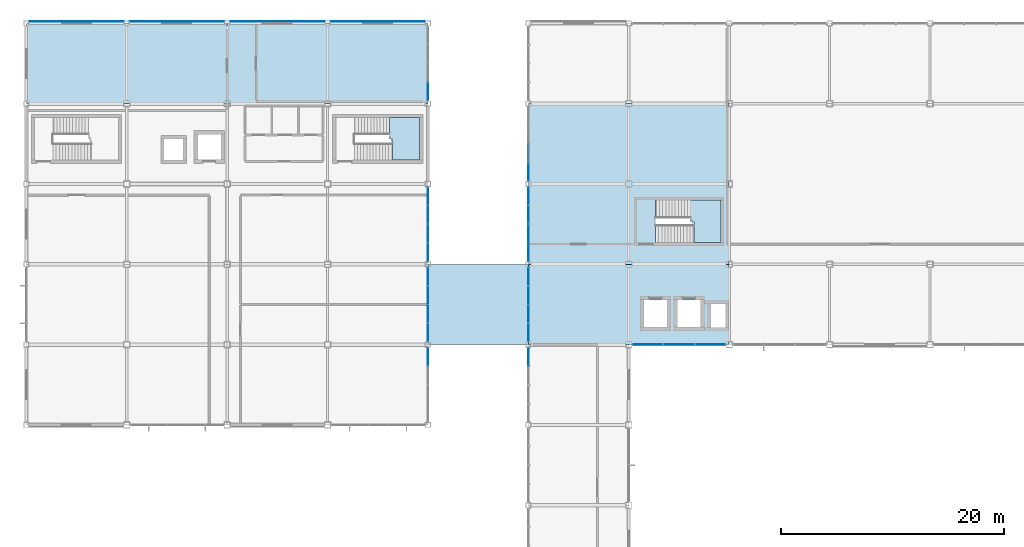
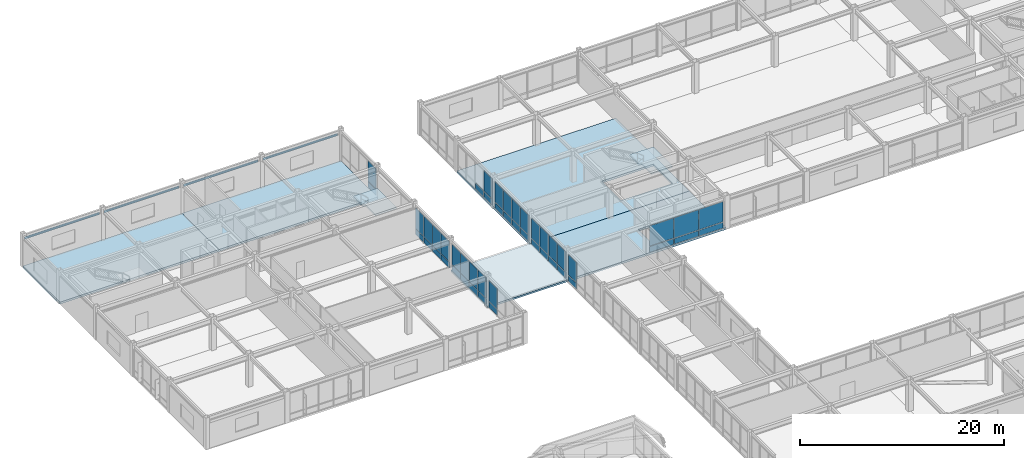
# One storey, part 88 of 113: 51 plates, 7 slabs, 11 elements without a shape of their own.
"""IFC4 building model written with IfcOpenShell, lengths in metres."""

from ifc_helpers import new_model, si_unit, direction, frame, origin, origin_2d, place, context, subcontext, project, spatial, polyline, rectangle, outline, extrude, material, layer, layer_set, type_object, element, aggregate, save


model = new_model("IFC4")

# Units and contexts
model_context = context("Model", 3, precision=1e-05, world=origin(), true_north=direction((0.0, 1.0)))
body_context = subcontext(model_context, "Body", "Model", "MODEL_VIEW")
ifc_project = project(units=[si_unit("LENGTHUNIT", "METRE"), si_unit("AREAUNIT", "SQUARE_METRE"), si_unit("VOLUMEUNIT", "CUBIC_METRE"), si_unit("PLANEANGLEUNIT", "RADIAN"), si_unit("MASSUNIT", "GRAM", prefix="KILO")], contexts=[model_context])

# Site, building, storey
site_placement = place(None, origin())
site = spatial("IfcSite", under=ifc_project, at=site_placement, CompositionType="ELEMENT")
building_placement = place(site_placement, origin())
building = spatial("IfcBuilding", under=site, at=building_placement, Name="Kazanami Central Library", CompositionType="ELEMENT")
storey_placement = place(building_placement, frame((0.0, 0.0, 8.800048828125)))
storey = spatial("IfcBuildingStorey", under=building, at=storey_placement, Name="L03", CompositionType="ELEMENT", Elevation=8.800048828125)

# Curtain wall, plates
ifc_material_1 = material(Name="Acid-Etched Low-E Laminated Glass", Category="glass")
curtain_wall_type_1 = type_object("IfcCurtainWallType", Name="CW-8450x3295-M275", PredefinedType="USERDEFINED", material=ifc_material_1)
curtain_wall_1_placement = place(storey_placement, origin())
curtain_wall_1 = element("IfcCurtainWall", 1, at=curtain_wall_1_placement, inside=storey, type_object=curtain_wall_type_1, Name="Unitised Curtain Wall CW-29 L03 S-K-06", ObjectType="UNITISED CURTAIN WALL", PredefinedType="USERDEFINED")
ifc_layer_1 = layer(ifc_material_1, 0.035888671875, Name="Acid-Etched Low-E Laminated Glass")
ifc_layer_set_1 = layer_set([ifc_layer_1], Name="Acid-Etched Low-E Laminated Glass")
plate_type_1 = type_object("IfcPlateType", Name="PLT-CW-P1", PredefinedType="CURTAIN_PANEL", material=ifc_layer_set_1)
plate_1_placement = place(storey_placement, frame((55.700927734375, 64.800048828125, 0.81494140625), z_axis=(0.0, 0.0, 1.0), x_axis=(1.0, 0.0, 0.0)))
plate_1 = element("IfcPlate", 2, at=plate_1_placement, type_object=plate_type_1, Name="CW-29 panel 1.2", PredefinedType="CURTAIN_PANEL", context=body_context, shape_type="SweptSolid", body=[
    extrude(rectangle(XDim=2.711669921875, YDim=0.035888671875, at=origin_2d()), origin(), (0.0, 0.0, 1.0), 2.409912109375),
])
plate_2_placement = place(storey_placement, frame((58.5, 64.800048828125, 0.81494140625), z_axis=(0.0, 0.0, 1.0), x_axis=(1.0, 0.0, 0.0)))
plate_2 = element("IfcPlate", 3, at=plate_2_placement, type_object=plate_type_1, Name="CW-29 panel 2.2", PredefinedType="CURTAIN_PANEL", context=body_context, shape_type="SweptSolid", body=[
    extrude(rectangle(XDim=2.74658203125, YDim=0.035888671875, at=origin_2d()), origin(), (0.0, 0.0, 1.0), 2.409912109375),
])
plate_3_placement = place(storey_placement, frame((61.299072265625, 64.800048828125, 0.81494140625), z_axis=(0.0, 0.0, 1.0), x_axis=(1.0, 0.0, 0.0)))
plate_3 = element("IfcPlate", 4, at=plate_3_placement, type_object=plate_type_1, Name="CW-29 panel 3.2", PredefinedType="CURTAIN_PANEL", context=body_context, shape_type="SweptSolid", body=[
    extrude(rectangle(XDim=2.711669921875, YDim=0.035888671875, at=origin_2d()), origin(), (0.0, 0.0, 1.0), 2.409912109375),
])

# Curtain wall, plate
curtain_wall_type_2 = type_object("IfcCurtainWallType", Name="CW-6750x3330-M180", PredefinedType="USERDEFINED", material=ifc_material_1)
curtain_wall_2_placement = place(storey_placement, origin())
curtain_wall_2 = element("IfcCurtainWall", 5, at=curtain_wall_2_placement, inside=storey, type_object=curtain_wall_type_2, Name="Covered Link Bridge Curtain Wall CW-34 L03 E-5-08", ObjectType="UNITISED CURTAIN WALL", PredefinedType="USERDEFINED")
ifc_material_2 = material(Name="Low-E Insulated Triple Glass", Category="glass")
ifc_layer_2 = layer(ifc_material_2, 0.0400390625, Name="Low-E Insulated Triple Glass")
ifc_layer_set_2 = layer_set([ifc_layer_2], Name="Low-E Insulated Triple Glass")
plate_type_2 = type_object("IfcPlateType", Name="PLT-CW-P3", PredefinedType="CURTAIN_PANEL", material=ifc_layer_set_2)
plate_4_placement = place(storey_placement, frame((36.0, 63.71630859375, 0.81005859375), z_axis=(0.0, 0.0, 1.0), x_axis=(0.0, -1.0, 0.0)))
plate_4 = element("IfcPlate", 6, at=plate_4_placement, type_object=plate_type_2, Name="CW-34 panel 1.2", PredefinedType="CURTAIN_PANEL", context=body_context, shape_type="SweptSolid", body=[
    extrude(rectangle(XDim=1.597412109375, YDim=0.0400390625, at=origin_2d()), origin(), (0.0, 0.0, 1.0), 2.4599609375),
])

# Curtain wall, plates
curtain_wall_type_3 = type_object("IfcCurtainWallType", Name="CW-6750x3295-M180", PredefinedType="USERDEFINED", material=ifc_material_1)
curtain_wall_3_placement = place(storey_placement, origin())
curtain_wall_3 = element("IfcCurtainWall", 7, at=curtain_wall_3_placement, inside=storey, type_object=curtain_wall_type_3, Name="Covered Link Bridge Curtain Wall CW-32 L03 E-5-09", ObjectType="UNITISED CURTAIN WALL", PredefinedType="USERDEFINED")
plate_5_placement = place(storey_placement, frame((36.0, 70.916259765625, 0.81005859375), z_axis=(0.0, 0.0, 1.0), x_axis=(0.0, -1.0, 0.0)))
plate_5 = element("IfcPlate", 8, at=plate_5_placement, type_object=plate_type_2, Name="CW-32 panel 1.2", PredefinedType="CURTAIN_PANEL", context=body_context, shape_type="SweptSolid", body=[
    extrude(rectangle(XDim=1.597412109375, YDim=0.0400390625, at=origin_2d()), origin(), (0.0, 0.0, 1.0), 2.425048828125),
])
plate_6_placement = place(storey_placement, frame((36.0, 69.24365234375, 0.81005859375), z_axis=(0.0, 0.0, 1.0), x_axis=(0.0, -1.0, 0.0)))
plate_6 = element("IfcPlate", 9, at=plate_6_placement, type_object=plate_type_2, Name="CW-32 panel 2.2", PredefinedType="CURTAIN_PANEL", context=body_context, shape_type="SweptSolid", body=[
    extrude(rectangle(XDim=1.62744140625, YDim=0.0400390625, at=origin_2d()), origin(), (0.0, 0.0, 1.0), 2.425048828125),
])
plate_7_placement = place(storey_placement, frame((36.0, 67.55615234375, 0.81005859375), z_axis=(0.0, 0.0, 1.0), x_axis=(0.0, -1.0, 0.0)))
plate_7 = element("IfcPlate", 10, at=plate_7_placement, type_object=plate_type_2, Name="CW-32 panel 3.2", PredefinedType="CURTAIN_PANEL", context=body_context, shape_type="SweptSolid", body=[
    extrude(rectangle(XDim=1.62744140625, YDim=0.0400390625, at=origin_2d()), origin(), (0.0, 0.0, 1.0), 2.425048828125),
])
plate_8_placement = place(storey_placement, frame((36.0, 65.8837890625, 0.81005859375), z_axis=(0.0, 0.0, 1.0), x_axis=(0.0, -1.0, 0.0)))
plate_8 = element("IfcPlate", 11, at=plate_8_placement, type_object=plate_type_2, Name="CW-32 panel 4.2", PredefinedType="CURTAIN_PANEL", context=body_context, shape_type="SweptSolid", body=[
    extrude(rectangle(XDim=1.597412109375, YDim=0.0400390625, at=origin_2d()), origin(), (0.0, 0.0, 1.0), 2.425048828125),
])

curtain_wall_4_placement = place(storey_placement, origin())
curtain_wall_4 = element("IfcCurtainWall", 12, at=curtain_wall_4_placement, inside=storey, type_object=curtain_wall_type_3, Name="Covered Link Bridge Curtain Wall CW-32 L03 E-5-10", ObjectType="UNITISED CURTAIN WALL", PredefinedType="USERDEFINED")
plate_9_placement = place(storey_placement, frame((36.0, 78.1162109375, 0.81005859375), z_axis=(0.0, 0.0, 1.0), x_axis=(0.0, -1.0, 0.0)))
plate_9 = element("IfcPlate", 13, at=plate_9_placement, type_object=plate_type_2, Name="CW-32 panel 1.2", PredefinedType="CURTAIN_PANEL", context=body_context, shape_type="SweptSolid", body=[
    extrude(rectangle(XDim=1.597412109375, YDim=0.0400390625, at=origin_2d()), origin(), (0.0, 0.0, 1.0), 2.425048828125),
])
plate_10_placement = place(storey_placement, frame((36.0, 76.44384765625, 0.81005859375), z_axis=(0.0, 0.0, 1.0), x_axis=(0.0, -1.0, 0.0)))
plate_10 = element("IfcPlate", 14, at=plate_10_placement, type_object=plate_type_2, Name="CW-32 panel 2.2", PredefinedType="CURTAIN_PANEL", context=body_context, shape_type="SweptSolid", body=[
    extrude(rectangle(XDim=1.62744140625, YDim=0.0400390625, at=origin_2d()), origin(), (0.0, 0.0, 1.0), 2.425048828125),
])
plate_11_placement = place(storey_placement, frame((36.0, 74.75634765625, 0.81005859375), z_axis=(0.0, 0.0, 1.0), x_axis=(0.0, -1.0, 0.0)))
plate_11 = element("IfcPlate", 15, at=plate_11_placement, type_object=plate_type_2, Name="CW-32 panel 3.2", PredefinedType="CURTAIN_PANEL", context=body_context, shape_type="SweptSolid", body=[
    extrude(rectangle(XDim=1.62744140625, YDim=0.0400390625, at=origin_2d()), origin(), (0.0, 0.0, 1.0), 2.425048828125),
])
plate_12_placement = place(storey_placement, frame((36.0, 73.083740234375, 0.81005859375), z_axis=(0.0, 0.0, 1.0), x_axis=(0.0, -1.0, 0.0)))
plate_12 = element("IfcPlate", 16, at=plate_12_placement, type_object=plate_type_2, Name="CW-32 panel 4.2", PredefinedType="CURTAIN_PANEL", context=body_context, shape_type="SweptSolid", body=[
    extrude(rectangle(XDim=1.597412109375, YDim=0.0400390625, at=origin_2d()), origin(), (0.0, 0.0, 1.0), 2.425048828125),
])

# Curtain wall, plate
curtain_wall_5_placement = place(storey_placement, origin())
curtain_wall_5 = element("IfcCurtainWall", 17, at=curtain_wall_5_placement, inside=storey, type_object=curtain_wall_type_3, Name="Covered Link Bridge Curtain Wall CW-32 L03 E-5-12", ObjectType="UNITISED CURTAIN WALL", PredefinedType="USERDEFINED")
plate_13_placement = place(storey_placement, frame((36.0, 87.483642578125, 0.81005859375), z_axis=(0.0, 0.0, 1.0), x_axis=(0.0, -1.0, 0.0)))
plate_13 = element("IfcPlate", 18, at=plate_13_placement, type_object=plate_type_2, Name="CW-32 panel 4.2", PredefinedType="CURTAIN_PANEL", context=body_context, shape_type="SweptSolid", body=[
    extrude(rectangle(XDim=1.597412109375, YDim=0.0400390625, at=origin_2d()), origin(), (0.0, 0.0, 1.0), 2.425048828125),
])

curtain_wall_6_placement = place(storey_placement, origin())
curtain_wall_6 = element("IfcCurtainWall", 19, at=curtain_wall_6_placement, inside=storey, type_object=curtain_wall_type_3, Name="Covered Link Bridge Curtain Wall CW-32 L03 W-6-08", ObjectType="UNITISED CURTAIN WALL", PredefinedType="USERDEFINED")
plate_14_placement = place(storey_placement, frame((45.0, 63.7138671875, 0.81494140625), z_axis=(0.0, 0.0, 1.0), x_axis=(0.0, 1.0, 0.0)))
plate_14 = element("IfcPlate", 20, at=plate_14_placement, type_object=plate_type_2, Name="CW-32 panel 4.2", PredefinedType="CURTAIN_PANEL", context=body_context, shape_type="SweptSolid", body=[
    extrude(rectangle(XDim=1.58251953125, YDim=0.0400390625, at=origin_2d()), origin(), (0.0, 0.0, 1.0), 2.409912109375),
])

# Curtain wall, plates
curtain_wall_7_placement = place(storey_placement, origin())
curtain_wall_7 = element("IfcCurtainWall", 21, at=curtain_wall_7_placement, inside=storey, type_object=curtain_wall_type_3, Name="Covered Link Bridge Curtain Wall CW-32 L03 W-6-09", ObjectType="UNITISED CURTAIN WALL", PredefinedType="USERDEFINED")
plate_15_placement = place(storey_placement, frame((45.0, 65.88623046875, 0.81494140625), z_axis=(0.0, 0.0, 1.0), x_axis=(0.0, 1.0, 0.0)))
plate_15 = element("IfcPlate", 22, at=plate_15_placement, type_object=plate_type_2, Name="CW-32 panel 1.2", PredefinedType="CURTAIN_PANEL", context=body_context, shape_type="SweptSolid", body=[
    extrude(rectangle(XDim=1.58251953125, YDim=0.0400390625, at=origin_2d()), origin(), (0.0, 0.0, 1.0), 2.409912109375),
])
plate_16_placement = place(storey_placement, frame((45.0, 67.55615234375, 0.81494140625), z_axis=(0.0, 0.0, 1.0), x_axis=(0.0, 1.0, 0.0)))
plate_16 = element("IfcPlate", 23, at=plate_16_placement, type_object=plate_type_2, Name="CW-32 panel 2.2", PredefinedType="CURTAIN_PANEL", context=body_context, shape_type="SweptSolid", body=[
    extrude(rectangle(XDim=1.617431640625, YDim=0.0400390625, at=origin_2d()), origin(), (0.0, 0.0, 1.0), 2.409912109375),
])
plate_17_placement = place(storey_placement, frame((45.0, 69.24365234375, 0.81494140625), z_axis=(0.0, 0.0, 1.0), x_axis=(0.0, 1.0, 0.0)))
plate_17 = element("IfcPlate", 24, at=plate_17_placement, type_object=plate_type_2, Name="CW-32 panel 3.2", PredefinedType="CURTAIN_PANEL", context=body_context, shape_type="SweptSolid", body=[
    extrude(rectangle(XDim=1.617431640625, YDim=0.0400390625, at=origin_2d()), origin(), (0.0, 0.0, 1.0), 2.409912109375),
])
plate_18_placement = place(storey_placement, frame((45.0, 70.913818359375, 0.81494140625), z_axis=(0.0, 0.0, 1.0), x_axis=(0.0, 1.0, 0.0)))
plate_18 = element("IfcPlate", 25, at=plate_18_placement, type_object=plate_type_2, Name="CW-32 panel 4.2", PredefinedType="CURTAIN_PANEL", context=body_context, shape_type="SweptSolid", body=[
    extrude(rectangle(XDim=1.58251953125, YDim=0.0400390625, at=origin_2d()), origin(), (0.0, 0.0, 1.0), 2.409912109375),
])

curtain_wall_8_placement = place(storey_placement, origin())
curtain_wall_8 = element("IfcCurtainWall", 26, at=curtain_wall_8_placement, inside=storey, type_object=curtain_wall_type_3, Name="Covered Link Bridge Curtain Wall CW-32 L03 W-6-10", ObjectType="UNITISED CURTAIN WALL", PredefinedType="USERDEFINED")
plate_19_placement = place(storey_placement, frame((45.0, 73.086181640625, 0.81494140625), z_axis=(0.0, 0.0, 1.0), x_axis=(0.0, 1.0, 0.0)))
plate_19 = element("IfcPlate", 27, at=plate_19_placement, type_object=plate_type_2, Name="CW-32 panel 1.2", PredefinedType="CURTAIN_PANEL", context=body_context, shape_type="SweptSolid", body=[
    extrude(rectangle(XDim=1.58251953125, YDim=0.0400390625, at=origin_2d()), origin(), (0.0, 0.0, 1.0), 2.409912109375),
])
plate_20_placement = place(storey_placement, frame((45.0, 74.75634765625, 0.81494140625), z_axis=(0.0, 0.0, 1.0), x_axis=(0.0, 1.0, 0.0)))
plate_20 = element("IfcPlate", 28, at=plate_20_placement, type_object=plate_type_2, Name="CW-32 panel 2.2", PredefinedType="CURTAIN_PANEL", context=body_context, shape_type="SweptSolid", body=[
    extrude(rectangle(XDim=1.617431640625, YDim=0.0400390625, at=origin_2d()), origin(), (0.0, 0.0, 1.0), 2.409912109375),
])
plate_21_placement = place(storey_placement, frame((45.0, 76.44384765625, 0.81494140625), z_axis=(0.0, 0.0, 1.0), x_axis=(0.0, 1.0, 0.0)))
plate_21 = element("IfcPlate", 29, at=plate_21_placement, type_object=plate_type_2, Name="CW-32 panel 3.2", PredefinedType="CURTAIN_PANEL", context=body_context, shape_type="SweptSolid", body=[
    extrude(rectangle(XDim=1.617431640625, YDim=0.0400390625, at=origin_2d()), origin(), (0.0, 0.0, 1.0), 2.409912109375),
])
plate_22_placement = place(storey_placement, frame((45.0, 78.11376953125, 0.81494140625), z_axis=(0.0, 0.0, 1.0), x_axis=(0.0, 1.0, 0.0)))
plate_22 = element("IfcPlate", 30, at=plate_22_placement, type_object=plate_type_2, Name="CW-32 panel 4.2", PredefinedType="CURTAIN_PANEL", context=body_context, shape_type="SweptSolid", body=[
    extrude(rectangle(XDim=1.58251953125, YDim=0.0400390625, at=origin_2d()), origin(), (0.0, 0.0, 1.0), 2.409912109375),
])

# Curtain wall, plate
curtain_wall_9_placement = place(storey_placement, origin())
curtain_wall_9 = element("IfcCurtainWall", 31, at=curtain_wall_9_placement, inside=storey, type_object=curtain_wall_type_3, Name="Covered Link Bridge Curtain Wall CW-32 L03 W-6-11", ObjectType="UNITISED CURTAIN WALL", PredefinedType="USERDEFINED")
plate_23_placement = place(storey_placement, frame((45.0, 80.2861328125, 0.81494140625), z_axis=(0.0, 0.0, 1.0), x_axis=(0.0, 1.0, 0.0)))
plate_23 = element("IfcPlate", 32, at=plate_23_placement, type_object=plate_type_2, Name="CW-32 panel 1.2", PredefinedType="CURTAIN_PANEL", context=body_context, shape_type="SweptSolid", body=[
    extrude(rectangle(XDim=1.58251953125, YDim=0.0400390625, at=origin_2d()), origin(), (0.0, 0.0, 1.0), 2.409912109375),
])

# Plate
ifc_material_3 = material(Name="Anodised Aluminium A5052-H32", Category="aluminium")
ifc_layer_3 = layer(ifc_material_3, 0.06005859375, Name="Anodised Aluminium A5052-H32")
ifc_layer_set_3 = layer_set([ifc_layer_3], Name="Anodised Aluminium A5052-H32")
plate_type_3 = type_object("IfcPlateType", Name="PLT-CW-SP1", PredefinedType="CURTAIN_PANEL", material=ifc_layer_set_3)
plate_24_placement = place(storey_placement, frame((55.700927734375, 64.800048828125, 0.06982421875), z_axis=(0.0, 0.0, 1.0), x_axis=(1.0, 0.0, 0.0)))
plate_24 = element("IfcPlate", 33, at=plate_24_placement, type_object=plate_type_3, Name="CW-29 panel 1.1", PredefinedType="CURTAIN_PANEL", context=body_context, shape_type="SweptSolid", body=[
    extrude(rectangle(XDim=2.711669921875, YDim=0.06005859375, at=origin_2d()), origin(), (0.0, 0.0, 1.0), 0.675048828125),
])

plate_25_placement = place(storey_placement, frame((58.5, 64.800048828125, 0.06982421875), z_axis=(0.0, 0.0, 1.0), x_axis=(1.0, 0.0, 0.0)))
plate_25 = element("IfcPlate", 34, at=plate_25_placement, type_object=plate_type_3, Name="CW-29 panel 2.1", PredefinedType="CURTAIN_PANEL", context=body_context, shape_type="SweptSolid", body=[
    extrude(rectangle(XDim=2.74658203125, YDim=0.06005859375, at=origin_2d()), origin(), (0.0, 0.0, 1.0), 0.675048828125),
])

plate_26_placement = place(storey_placement, frame((61.299072265625, 64.800048828125, 0.06982421875), z_axis=(0.0, 0.0, 1.0), x_axis=(1.0, 0.0, 0.0)))
plate_26 = element("IfcPlate", 35, at=plate_26_placement, type_object=plate_type_3, Name="CW-29 panel 3.1", PredefinedType="CURTAIN_PANEL", context=body_context, shape_type="SweptSolid", body=[
    extrude(rectangle(XDim=2.711669921875, YDim=0.06005859375, at=origin_2d()), origin(), (0.0, 0.0, 1.0), 0.675048828125),
])

aggregate(curtain_wall_1, [plate_24, plate_1, plate_25, plate_2, plate_26, plate_3])

plate_27_placement = place(storey_placement, frame((45.0, 63.7138671875, 0.06982421875), z_axis=(0.0, 0.0, 1.0), x_axis=(0.0, 1.0, 0.0)))
plate_27 = element("IfcPlate", 36, at=plate_27_placement, type_object=plate_type_3, Name="CW-32 panel 4.1", PredefinedType="CURTAIN_PANEL", context=body_context, shape_type="SweptSolid", body=[
    extrude(rectangle(XDim=1.58251953125, YDim=0.06005859375, at=origin_2d()), origin(), (0.0, 0.0, 1.0), 0.675048828125),
])

aggregate(curtain_wall_6, [plate_27, plate_14])

plate_28_placement = place(storey_placement, frame((45.0, 65.88623046875, 0.06982421875), z_axis=(0.0, 0.0, 1.0), x_axis=(0.0, 1.0, 0.0)))
plate_28 = element("IfcPlate", 37, at=plate_28_placement, type_object=plate_type_3, Name="CW-32 panel 1.1", PredefinedType="CURTAIN_PANEL", context=body_context, shape_type="SweptSolid", body=[
    extrude(rectangle(XDim=1.58251953125, YDim=0.06005859375, at=origin_2d()), origin(), (0.0, 0.0, 1.0), 0.675048828125),
])

plate_29_placement = place(storey_placement, frame((45.0, 67.55615234375, 0.06982421875), z_axis=(0.0, 0.0, 1.0), x_axis=(0.0, 1.0, 0.0)))
plate_29 = element("IfcPlate", 38, at=plate_29_placement, type_object=plate_type_3, Name="CW-32 panel 2.1", PredefinedType="CURTAIN_PANEL", context=body_context, shape_type="SweptSolid", body=[
    extrude(rectangle(XDim=1.617431640625, YDim=0.06005859375, at=origin_2d()), origin(), (0.0, 0.0, 1.0), 0.675048828125),
])

plate_30_placement = place(storey_placement, frame((45.0, 69.24365234375, 0.06982421875), z_axis=(0.0, 0.0, 1.0), x_axis=(0.0, 1.0, 0.0)))
plate_30 = element("IfcPlate", 39, at=plate_30_placement, type_object=plate_type_3, Name="CW-32 panel 3.1", PredefinedType="CURTAIN_PANEL", context=body_context, shape_type="SweptSolid", body=[
    extrude(rectangle(XDim=1.617431640625, YDim=0.06005859375, at=origin_2d()), origin(), (0.0, 0.0, 1.0), 0.675048828125),
])

plate_31_placement = place(storey_placement, frame((45.0, 70.913818359375, 0.06982421875), z_axis=(0.0, 0.0, 1.0), x_axis=(0.0, 1.0, 0.0)))
plate_31 = element("IfcPlate", 40, at=plate_31_placement, type_object=plate_type_3, Name="CW-32 panel 4.1", PredefinedType="CURTAIN_PANEL", context=body_context, shape_type="SweptSolid", body=[
    extrude(rectangle(XDim=1.58251953125, YDim=0.06005859375, at=origin_2d()), origin(), (0.0, 0.0, 1.0), 0.675048828125),
])

aggregate(curtain_wall_7, [plate_28, plate_15, plate_29, plate_16, plate_30, plate_17, plate_31, plate_18])

plate_32_placement = place(storey_placement, frame((45.0, 73.086181640625, 0.06982421875), z_axis=(0.0, 0.0, 1.0), x_axis=(0.0, 1.0, 0.0)))
plate_32 = element("IfcPlate", 41, at=plate_32_placement, type_object=plate_type_3, Name="CW-32 panel 1.1", PredefinedType="CURTAIN_PANEL", context=body_context, shape_type="SweptSolid", body=[
    extrude(rectangle(XDim=1.58251953125, YDim=0.06005859375, at=origin_2d()), origin(), (0.0, 0.0, 1.0), 0.675048828125),
])

plate_33_placement = place(storey_placement, frame((45.0, 74.75634765625, 0.06982421875), z_axis=(0.0, 0.0, 1.0), x_axis=(0.0, 1.0, 0.0)))
plate_33 = element("IfcPlate", 42, at=plate_33_placement, type_object=plate_type_3, Name="CW-32 panel 2.1", PredefinedType="CURTAIN_PANEL", context=body_context, shape_type="SweptSolid", body=[
    extrude(rectangle(XDim=1.617431640625, YDim=0.06005859375, at=origin_2d()), origin(), (0.0, 0.0, 1.0), 0.675048828125),
])

plate_34_placement = place(storey_placement, frame((45.0, 76.44384765625, 0.06982421875), z_axis=(0.0, 0.0, 1.0), x_axis=(0.0, 1.0, 0.0)))
plate_34 = element("IfcPlate", 43, at=plate_34_placement, type_object=plate_type_3, Name="CW-32 panel 3.1", PredefinedType="CURTAIN_PANEL", context=body_context, shape_type="SweptSolid", body=[
    extrude(rectangle(XDim=1.617431640625, YDim=0.06005859375, at=origin_2d()), origin(), (0.0, 0.0, 1.0), 0.675048828125),
])

plate_35_placement = place(storey_placement, frame((45.0, 78.11376953125, 0.06982421875), z_axis=(0.0, 0.0, 1.0), x_axis=(0.0, 1.0, 0.0)))
plate_35 = element("IfcPlate", 44, at=plate_35_placement, type_object=plate_type_3, Name="CW-32 panel 4.1", PredefinedType="CURTAIN_PANEL", context=body_context, shape_type="SweptSolid", body=[
    extrude(rectangle(XDim=1.58251953125, YDim=0.06005859375, at=origin_2d()), origin(), (0.0, 0.0, 1.0), 0.675048828125),
])

aggregate(curtain_wall_8, [plate_32, plate_19, plate_33, plate_20, plate_34, plate_21, plate_35, plate_22])

plate_36_placement = place(storey_placement, frame((45.0, 80.2861328125, 0.06982421875), z_axis=(0.0, 0.0, 1.0), x_axis=(0.0, 1.0, 0.0)))
plate_36 = element("IfcPlate", 45, at=plate_36_placement, type_object=plate_type_3, Name="CW-32 panel 1.1", PredefinedType="CURTAIN_PANEL", context=body_context, shape_type="SweptSolid", body=[
    extrude(rectangle(XDim=1.58251953125, YDim=0.06005859375, at=origin_2d()), origin(), (0.0, 0.0, 1.0), 0.675048828125),
])

plate_37_placement = place(storey_placement, frame((45.0, 81.956298828125, 0.06982421875), z_axis=(0.0, 0.0, 1.0), x_axis=(0.0, 1.0, 0.0)))
plate_37 = element("IfcPlate", 46, at=plate_37_placement, type_object=plate_type_3, Name="CW-32 panel 2.1", PredefinedType="CURTAIN_PANEL", context=body_context, shape_type="SweptSolid", body=[
    extrude(rectangle(XDim=1.617431640625, YDim=0.06005859375, at=origin_2d()), origin(), (0.0, 0.0, 1.0), 0.675048828125),
])

aggregate(curtain_wall_9, [plate_36, plate_23, plate_37])

ifc_layer_4 = layer(ifc_material_3, 0.052001953125, Name="Anodised Aluminium A5052-H32")
ifc_layer_set_4 = layer_set([ifc_layer_4], Name="Anodised Aluminium A5052-H32")
plate_type_4 = type_object("IfcPlateType", Name="PLT-CW-SP2", PredefinedType="CURTAIN_PANEL", material=ifc_layer_set_4)
plate_38_placement = place(storey_placement, frame((36.0, 63.71630859375, 0.06005859375), z_axis=(0.0, 0.0, 1.0), x_axis=(0.0, -1.0, 0.0)))
plate_38 = element("IfcPlate", 47, at=plate_38_placement, type_object=plate_type_4, Name="CW-34 panel 1.1", PredefinedType="CURTAIN_PANEL", context=body_context, shape_type="SweptSolid", body=[
    extrude(rectangle(XDim=1.597412109375, YDim=0.052001953125, at=origin_2d()), origin(), (0.0, 0.0, 1.0), 0.68994140625),
])

aggregate(curtain_wall_2, [plate_38, plate_4])

plate_39_placement = place(storey_placement, frame((36.0, 70.916259765625, 0.06005859375), z_axis=(0.0, 0.0, 1.0), x_axis=(0.0, -1.0, 0.0)))
plate_39 = element("IfcPlate", 48, at=plate_39_placement, type_object=plate_type_4, Name="CW-32 panel 1.1", PredefinedType="CURTAIN_PANEL", context=body_context, shape_type="SweptSolid", body=[
    extrude(rectangle(XDim=1.597412109375, YDim=0.052001953125, at=origin_2d()), origin(), (0.0, 0.0, 1.0), 0.68994140625),
])

plate_40_placement = place(storey_placement, frame((36.0, 69.24365234375, 0.06005859375), z_axis=(0.0, 0.0, 1.0), x_axis=(0.0, -1.0, 0.0)))
plate_40 = element("IfcPlate", 49, at=plate_40_placement, type_object=plate_type_4, Name="CW-32 panel 2.1", PredefinedType="CURTAIN_PANEL", context=body_context, shape_type="SweptSolid", body=[
    extrude(rectangle(XDim=1.62744140625, YDim=0.052001953125, at=origin_2d()), origin(), (0.0, 0.0, 1.0), 0.68994140625),
])

plate_41_placement = place(storey_placement, frame((36.0, 67.55615234375, 0.06005859375), z_axis=(0.0, 0.0, 1.0), x_axis=(0.0, -1.0, 0.0)))
plate_41 = element("IfcPlate", 50, at=plate_41_placement, type_object=plate_type_4, Name="CW-32 panel 3.1", PredefinedType="CURTAIN_PANEL", context=body_context, shape_type="SweptSolid", body=[
    extrude(rectangle(XDim=1.62744140625, YDim=0.052001953125, at=origin_2d()), origin(), (0.0, 0.0, 1.0), 0.68994140625),
])

plate_42_placement = place(storey_placement, frame((36.0, 65.8837890625, 0.06005859375), z_axis=(0.0, 0.0, 1.0), x_axis=(0.0, -1.0, 0.0)))
plate_42 = element("IfcPlate", 51, at=plate_42_placement, type_object=plate_type_4, Name="CW-32 panel 4.1", PredefinedType="CURTAIN_PANEL", context=body_context, shape_type="SweptSolid", body=[
    extrude(rectangle(XDim=1.597412109375, YDim=0.052001953125, at=origin_2d()), origin(), (0.0, 0.0, 1.0), 0.68994140625),
])

aggregate(curtain_wall_3, [plate_39, plate_5, plate_40, plate_6, plate_41, plate_7, plate_42, plate_8])

plate_43_placement = place(storey_placement, frame((36.0, 78.1162109375, 0.06005859375), z_axis=(0.0, 0.0, 1.0), x_axis=(0.0, -1.0, 0.0)))
plate_43 = element("IfcPlate", 52, at=plate_43_placement, type_object=plate_type_4, Name="CW-32 panel 1.1", PredefinedType="CURTAIN_PANEL", context=body_context, shape_type="SweptSolid", body=[
    extrude(rectangle(XDim=1.597412109375, YDim=0.052001953125, at=origin_2d()), origin(), (0.0, 0.0, 1.0), 0.68994140625),
])

plate_44_placement = place(storey_placement, frame((36.0, 76.44384765625, 0.06005859375), z_axis=(0.0, 0.0, 1.0), x_axis=(0.0, -1.0, 0.0)))
plate_44 = element("IfcPlate", 53, at=plate_44_placement, type_object=plate_type_4, Name="CW-32 panel 2.1", PredefinedType="CURTAIN_PANEL", context=body_context, shape_type="SweptSolid", body=[
    extrude(rectangle(XDim=1.62744140625, YDim=0.052001953125, at=origin_2d()), origin(), (0.0, 0.0, 1.0), 0.68994140625),
])

plate_45_placement = place(storey_placement, frame((36.0, 74.75634765625, 0.06005859375), z_axis=(0.0, 0.0, 1.0), x_axis=(0.0, -1.0, 0.0)))
plate_45 = element("IfcPlate", 54, at=plate_45_placement, type_object=plate_type_4, Name="CW-32 panel 3.1", PredefinedType="CURTAIN_PANEL", context=body_context, shape_type="SweptSolid", body=[
    extrude(rectangle(XDim=1.62744140625, YDim=0.052001953125, at=origin_2d()), origin(), (0.0, 0.0, 1.0), 0.68994140625),
])

plate_46_placement = place(storey_placement, frame((36.0, 73.083740234375, 0.06005859375), z_axis=(0.0, 0.0, 1.0), x_axis=(0.0, -1.0, 0.0)))
plate_46 = element("IfcPlate", 55, at=plate_46_placement, type_object=plate_type_4, Name="CW-32 panel 4.1", PredefinedType="CURTAIN_PANEL", context=body_context, shape_type="SweptSolid", body=[
    extrude(rectangle(XDim=1.597412109375, YDim=0.052001953125, at=origin_2d()), origin(), (0.0, 0.0, 1.0), 0.68994140625),
])

aggregate(curtain_wall_4, [plate_43, plate_9, plate_44, plate_10, plate_45, plate_11, plate_46, plate_12])

plate_47_placement = place(storey_placement, frame((36.0, 87.483642578125, 0.06005859375), z_axis=(0.0, 0.0, 1.0), x_axis=(0.0, -1.0, 0.0)))
plate_47 = element("IfcPlate", 56, at=plate_47_placement, type_object=plate_type_4, Name="CW-32 panel 4.1", PredefinedType="CURTAIN_PANEL", context=body_context, shape_type="SweptSolid", body=[
    extrude(rectangle(XDim=1.597412109375, YDim=0.052001953125, at=origin_2d()), origin(), (0.0, 0.0, 1.0), 0.68994140625),
])

aggregate(curtain_wall_5, [plate_47, plate_13])

# Plates
ifc_layer_5 = layer(ifc_material_3, 0.010009765625, Name="Anodised Aluminium A5052-H32")
ifc_layer_set_5 = layer_set([ifc_layer_5], Name="Anodised Aluminium A5052-H32")
plate_type_5 = type_object("IfcPlateType", Name="PLT-SPN-10", PredefinedType="SHEET", material=ifc_layer_set_5)
plate_48_placement = place(storey_placement, frame((31.5, 93.764892578125, 2.98486328125), z_axis=(0.0, 0.0, 1.0), x_axis=(-1.0, 0.0, 0.0)))
element("IfcPlate", 57, at=plate_48_placement, inside=storey, type_object=plate_type_5, Name="Architectural Spandrel Sheet SPN-10 L03 N-O-03", PredefinedType="SHEET", context=body_context, shape_type="SweptSolid", body=[
    extrude(rectangle(XDim=8.449951171875, YDim=0.010009765625, at=origin_2d()), origin(), (0.0, 0.0, 1.0), 0.300048828125),
])
ifc_layer_6 = layer(ifc_material_3, 0.01611328125, Name="Anodised Aluminium A5052-H32")
ifc_layer_set_6 = layer_set([ifc_layer_6], Name="Anodised Aluminium A5052-H32")
plate_type_6 = type_object("IfcPlateType", Name="PLT-SPN-16", PredefinedType="SHEET", material=ifc_layer_set_6)
plate_49_placement = place(storey_placement, frame((4.5, 93.76806640625, 2.98486328125), z_axis=(0.0, 0.0, 1.0), x_axis=(-1.0, 0.0, 0.0)))
element("IfcPlate", 58, at=plate_49_placement, inside=storey, type_object=plate_type_6, Name="Architectural Spandrel Sheet SPN-16 L03 N-O-00", PredefinedType="SHEET", context=body_context, shape_type="SweptSolid", body=[
    extrude(rectangle(XDim=8.449951171875, YDim=0.01611328125, at=origin_2d()), origin(), (0.0, 0.0, 1.0), 0.300048828125),
])
ifc_layer_7 = layer(ifc_material_3, 0.01806640625, Name="Anodised Aluminium A5052-H32")
ifc_layer_set_7 = layer_set([ifc_layer_7], Name="Anodised Aluminium A5052-H32")
plate_type_7 = type_object("IfcPlateType", Name="PLT-SPN-18", PredefinedType="SHEET", material=ifc_layer_set_7)
plate_50_placement = place(storey_placement, frame((13.5, 93.76904296875, 2.98486328125), z_axis=(0.0, 0.0, 1.0), x_axis=(-1.0, 0.0, 0.0)))
element("IfcPlate", 59, at=plate_50_placement, inside=storey, type_object=plate_type_7, Name="Architectural Spandrel Sheet SPN-18 L03 N-O-01", PredefinedType="SHEET", context=body_context, shape_type="SweptSolid", body=[
    extrude(rectangle(XDim=8.449951171875, YDim=0.01806640625, at=origin_2d()), origin(), (0.0, 0.0, 1.0), 0.300048828125),
])
ifc_layer_8 = layer(ifc_material_3, 0.02001953125, Name="Anodised Aluminium A5052-H32")
ifc_layer_set_8 = layer_set([ifc_layer_8], Name="Anodised Aluminium A5052-H32")
plate_type_8 = type_object("IfcPlateType", Name="PLT-SPN-20", PredefinedType="SHEET", material=ifc_layer_set_8)
plate_51_placement = place(storey_placement, frame((22.5, 93.77001953125, 2.98486328125), z_axis=(0.0, 0.0, 1.0), x_axis=(-1.0, 0.0, 0.0)))
element("IfcPlate", 60, at=plate_51_placement, inside=storey, type_object=plate_type_8, Name="Architectural Spandrel Sheet SPN-20 L03 N-O-02", PredefinedType="SHEET", context=body_context, shape_type="SweptSolid", body=[
    extrude(rectangle(XDim=8.449951171875, YDim=0.02001953125, at=origin_2d()), origin(), (0.0, 0.0, 1.0), 0.300048828125),
])

# Slabs
ifc_material_4 = material(Name="Concrete Fc36 (36 MPa)", Category="concrete")
ifc_layer_9 = layer(ifc_material_4, 0.2451171875, Name="Concrete Fc36 (36 MPa)")
ifc_layer_set_9 = layer_set([ifc_layer_9], Name="Concrete Fc36 (36 MPa)")
slab_type_1 = type_object("IfcSlabType", Name="SLB-FLR-245", PredefinedType="FLOOR", material=ifc_layer_set_9)
slab_1_placement = place(storey_placement, frame((0.0, 0.0, -0.2451171875)))
element("IfcSlab", 61, at=slab_1_placement, inside=storey, type_object=slab_type_1, Name="Composite Floor Slab L03 V4-RES Zone 7", PredefinedType="FLOOR", context=body_context, shape_type="SweptSolid", body=[
    extrude(outline(polyline([(0.0, 86.39990234375), (18.0, 86.39990234375), (18.0, 93.60009765625), (0.0, 93.60009765625), (0.0, 86.39990234375)])), origin(), (0.0, 0.0, 1.0), 0.2451171875),
])
slab_2_placement = place(storey_placement, frame((0.0, 0.0, -0.2451171875)))
element("IfcSlab", 62, at=slab_2_placement, inside=storey, type_object=slab_type_1, Name="Composite Floor Slab L03 V4-RES Zone 10", PredefinedType="FLOOR", context=body_context, shape_type="SweptSolid", body=[
    extrude(outline(polyline([(18.0, 86.39990234375), (36.0, 86.39990234375), (36.0, 93.60009765625), (18.0, 93.60009765625), (18.0, 86.39990234375)])), origin(), (0.0, 0.0, 1.0), 0.2451171875),
])
slab_3_placement = place(storey_placement, frame((0.0, 0.0, -0.2451171875)))
element("IfcSlab", 63, at=slab_3_placement, inside=storey, type_object=slab_type_1, Name="Composite Floor Slab L03 V1-NORTH Zone 18", PredefinedType="FLOOR", context=body_context, shape_type="SweptSolid", body=[
    extrude(outline(polyline([(45.0, 64.800048828125), (63.0, 64.800048828125), (63.0, 72.0), (45.0, 72.0), (45.0, 64.800048828125)]), holes=[polyline([(55.375, 66.375), (57.425048828125, 66.375), (57.425048828125, 68.824951171875), (55.375, 68.824951171875), (55.375, 66.375)]), polyline([(58.375, 66.375), (60.425048828125, 66.375), (60.425048828125, 68.824951171875), (58.375, 68.824951171875), (58.375, 66.375)]), polyline([(61.35009765625, 66.35009765625), (62.64990234375, 66.35009765625), (62.64990234375, 68.449951171875), (61.35009765625, 68.449951171875), (61.35009765625, 66.35009765625)])]), origin(), (0.0, 0.0, 1.0), 0.2451171875),
])
slab_4_placement = place(storey_placement, frame((0.0, 0.0, -0.2451171875)))
element("IfcSlab", 64, at=slab_4_placement, inside=storey, type_object=slab_type_1, Name="Composite Floor Slab L03 V1-NORTH Zone 19", PredefinedType="FLOOR", context=body_context, shape_type="SweptSolid", body=[
    extrude(outline(polyline([(45.0, 72.0), (63.0, 72.0), (63.0, 86.39990234375), (45.0, 86.39990234375), (45.0, 72.0)]), holes=[polyline([(56.39990234375, 73.949951171875), (62.25, 73.949951171875), (62.25, 77.75), (56.39990234375, 77.75), (56.39990234375, 73.949951171875)])]), origin(), (0.0, 0.0, 1.0), 0.2451171875),
])

# Stair, slab
stair_type_1 = type_object("IfcStairType", Name="STR-P40", PredefinedType="HALF_TURN_STAIR", material=ifc_material_4)
stair_1_placement = place(storey_placement, origin())
stair_1 = element("IfcStair", 65, at=stair_1_placement, inside=storey, type_object=stair_type_1, Name="Enclosed Escape Stair ST-03 (L03)", PredefinedType="HALF_TURN_STAIR")
ifc_layer_10 = layer(ifc_material_4, 0.179931640625, Name="Concrete Fc36 (36 MPa)")
ifc_layer_set_10 = layer_set([ifc_layer_10], Name="Concrete Fc36 (36 MPa)")
slab_type_2 = type_object("IfcSlabType", Name="SLB-LND-180", PredefinedType="LANDING", material=ifc_layer_set_10)
slab_5_placement = place(storey_placement, frame((0.0, 0.0, 1.89990234375)))
slab_5 = element("IfcSlab", 66, at=slab_5_placement, type_object=slab_type_2, Name="ST-03 landing 1", PredefinedType="LANDING", context=body_context, shape_type="SweptSolid", body=[
    extrude(outline(polyline([(59.827880859375, 73.949951171875), (62.25, 73.949951171875), (62.25, 77.75), (59.548095703125, 77.75), (59.548095703125, 75.85009765625), (59.827880859375, 75.85009765625), (59.827880859375, 73.949951171875)])), origin(), (0.0, 0.0, 1.0), 0.179931640625),
])
aggregate(stair_1, [slab_5])

stair_type_2 = type_object("IfcStairType", Name="STR-T40", PredefinedType="HALF_TURN_STAIR", material=ifc_material_4)
stair_2_placement = place(storey_placement, origin())
stair_2 = element("IfcStair", 67, at=stair_2_placement, inside=storey, type_object=stair_type_2, Name="Enclosed Escape Stair ST-06 (L03)", PredefinedType="HALF_TURN_STAIR")
slab_6_placement = place(storey_placement, frame((0.0, 0.0, 1.89990234375)))
slab_6 = element("IfcSlab", 68, at=slab_6_placement, type_object=slab_type_2, Name="ST-06 landing 1", PredefinedType="LANDING", context=body_context, shape_type="SweptSolid", body=[
    extrude(outline(polyline([(32.827880859375, 81.35009765625), (35.25, 81.35009765625), (35.25, 85.14990234375), (32.548095703125, 85.14990234375), (32.548095703125, 83.25), (32.827880859375, 83.25), (32.827880859375, 81.35009765625)])), origin(), (0.0, 0.0, 1.0), 0.179931640625),
])
aggregate(stair_2, [slab_6])

# Slab
ifc_layer_11 = layer(ifc_material_4, 0.2099609375, Name="Concrete Fc36 (36 MPa)")
ifc_layer_set_11 = layer_set([ifc_layer_11], Name="Concrete Fc36 (36 MPa)")
slab_type_3 = type_object("IfcSlabType", Name="SLB-ROOF-210", PredefinedType="ROOF", material=ifc_layer_set_11)
slab_7_placement = place(storey_placement, frame((0.0, 0.0, -0.2099609375)))
element("IfcSlab", 69, at=slab_7_placement, inside=storey, type_object=slab_type_3, Name="Covered Seismic-Joint Link Bridge Roof Slab ROOF-L02-BRG-WN", PredefinedType="ROOF", context=body_context, shape_type="SweptSolid", body=[
    extrude(outline(polyline([(36.0, 64.800048828125), (45.0, 64.800048828125), (45.0, 72.0), (36.0, 72.0), (36.0, 64.800048828125)])), origin(), (0.0, 0.0, 1.0), 0.2099609375),
])

save(model, "model.ifc")
